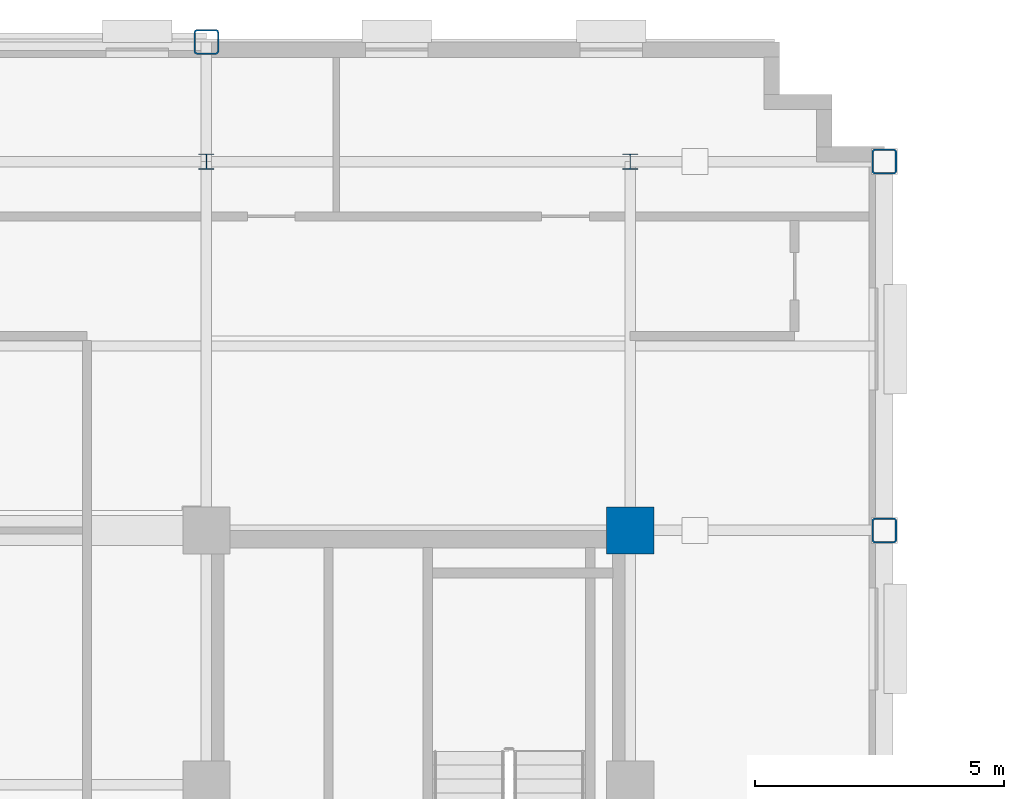
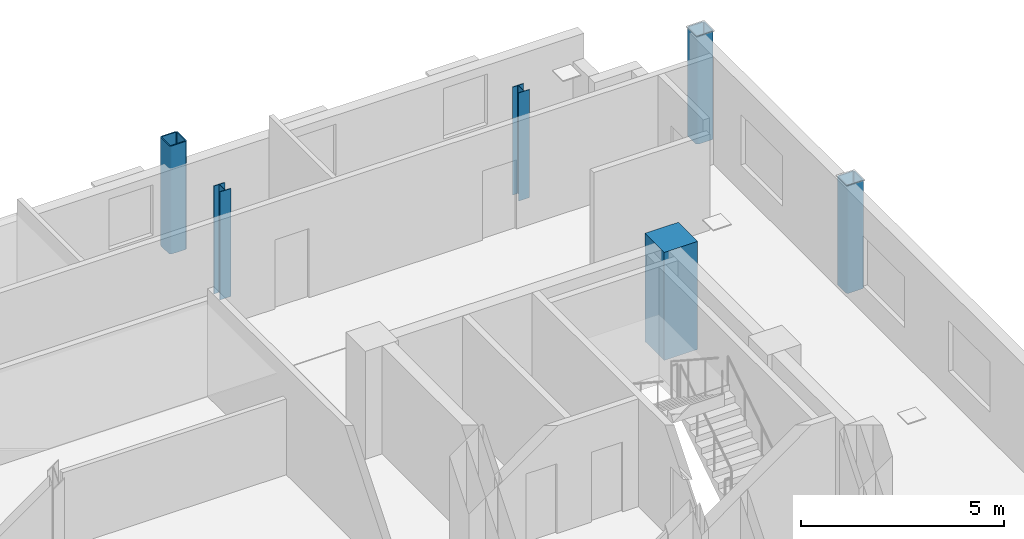
# One storey, part 4 of 15: 6 columns.
"""IFC4 building model written with IfcOpenShell, lengths in metres."""

from ifc_helpers import new_model, si_unit, direction, frame, origin, origin_2d, place, context, subcontext, project, spatial, rectangle, hollow_rectangle, i_section, extrude, material, material_profile, profile_set, type_object, element, save


model = new_model("IFC4")

# Units and contexts
model_context = context("Model", 3, precision=1e-05, world=origin(), true_north=direction((0.0, 1.0)))
body_context = subcontext(model_context, "Body", "Model", "MODEL_VIEW")
ifc_project = project(units=[si_unit("LENGTHUNIT", "METRE"), si_unit("AREAUNIT", "SQUARE_METRE"), si_unit("VOLUMEUNIT", "CUBIC_METRE"), si_unit("PLANEANGLEUNIT", "RADIAN"), si_unit("MASSUNIT", "GRAM", prefix="KILO")], contexts=[model_context])

# Site, building, storey
site_placement = place(None, origin())
site = spatial("IfcSite", under=ifc_project, at=site_placement, CompositionType="ELEMENT")
building_placement = place(site_placement, origin())
building = spatial("IfcBuilding", under=site, at=building_placement, Name="Nuvemarco Arch Tower", CompositionType="ELEMENT")
storey_placement = place(building_placement, frame((0.0, 0.0, 205.5)))
storey = spatial("IfcBuildingStorey", under=building, at=storey_placement, Name="L54", CompositionType="ELEMENT", Elevation=205.5)

# Columns
ifc_material_1 = material(Name="Concrete C50/60", Category="concrete")
ifc_material_profile_1 = material_profile(ifc_material_1, rectangle(XDim=0.949951171875, YDim=0.949951171875, at=origin_2d()), Name="RC-COL-950x950")
ifc_profile_set_1 = profile_set([ifc_material_profile_1], Name="Concrete C50/60")
column_type_1 = type_object("IfcColumnType", Name="COL-CORE-950", PredefinedType="COLUMN", material=ifc_profile_set_1)
column_placement = place(storey_placement, frame((17.5, 9.60009765625, 0.0), z_axis=(0.0, 0.0, 1.0), x_axis=(1.0, 0.0, 0.0)))
element("IfcColumn", 1, at=column_placement, inside=storey, type_object=column_type_1, Name="L54 column CC_+17.5_+9.6", PredefinedType="COLUMN", context=body_context, shape_type="SweptSolid", body=[
    extrude(rectangle(XDim=0.949951171875, YDim=0.949951171875, at=origin_2d()), origin(), (0.0, 0.0, 1.0), 3.25),
])
ifc_material_2 = material(Name="Steel S355", Category="steel")
ifc_material_profile_2 = material_profile(ifc_material_2, hollow_rectangle(XDim=0.5, YDim=0.5, WallThickness=0.031982421875, InnerFilletRadius=0.031982421875, OuterFilletRadius=0.06396484375, at=origin_2d()), Name="SHS500x500x32")
ifc_profile_set_2 = profile_set([ifc_material_profile_2], Name="Steel S355")
column_type_2 = type_object("IfcColumnType", Name="COL-EXO-500", PredefinedType="COLUMN", material=ifc_profile_set_2)
for number, where, z_axis, x_axis, name in (
    (2, (22.60009765625, 9.60009765625, 0.0), (0.0, 0.0, 1.0), (1.0, 0.0, 0.0), "L54 column CX_+22.6_+9.6"),
    (3, (22.60009765625, 17.0, 0.0), (0.0, 0.0, 1.0), (1.0, 0.0, 0.0), "L54 column CX_+22.6_+17.0"),
    (4, (9.0, 19.39990234375, 0.0), (0.0, 0.0, 1.0), (1.0, 0.0, 0.0), "L54 column CY_+9.0_+19.4"),
):
    element("IfcColumn", number, at=place(storey_placement, frame(where, z_axis=z_axis, x_axis=x_axis)), inside=storey, type_object=column_type_2, Name=name, PredefinedType="COLUMN", context=body_context, shape_type="SweptSolid", body=[
        extrude(hollow_rectangle(XDim=0.5, YDim=0.5, WallThickness=0.031982421875, InnerFilletRadius=0.031982421875, OuterFilletRadius=0.06396484375, at=origin_2d()), origin(), (0.0, 0.0, 1.0), 3.25),
    ])
ifc_material_profile_3 = material_profile(ifc_material_2, i_section(OverallWidth=0.31005859375, OverallDepth=0.31005859375, WebThickness=0.015380859375, FlangeThickness=0.015380859375, FilletRadius=0.014892578125, at=origin_2d()), Name="HP310x110")
ifc_profile_set_3 = profile_set([ifc_material_profile_3], Name="Steel S355")
column_type_3 = type_object("IfcColumnType", Name="COL-STL-HP310", PredefinedType="COLUMN", material=ifc_profile_set_3)
for number, where, z_axis, x_axis, name in (
    (5, (9.0, 17.0, 0.0), (0.0, 0.0, 1.0), (1.0, 0.0, 0.0), "L54 column CI_+9.0_+17.0"),
    (6, (17.5, 17.0, 0.0), (0.0, 0.0, 1.0), (1.0, 0.0, 0.0), "L54 column CI_+17.5_+17.0"),
):
    element("IfcColumn", number, at=place(storey_placement, frame(where, z_axis=z_axis, x_axis=x_axis)), inside=storey, type_object=column_type_3, Name=name, PredefinedType="COLUMN", context=body_context, shape_type="SweptSolid", body=[
        extrude(i_section(OverallWidth=0.31005859375, OverallDepth=0.31005859375, WebThickness=0.015380859375, FlangeThickness=0.015380859375, FilletRadius=0.014892578125, at=origin_2d()), origin(), (0.0, 0.0, 1.0), 3.25),
    ])

save(model, "model.ifc")
